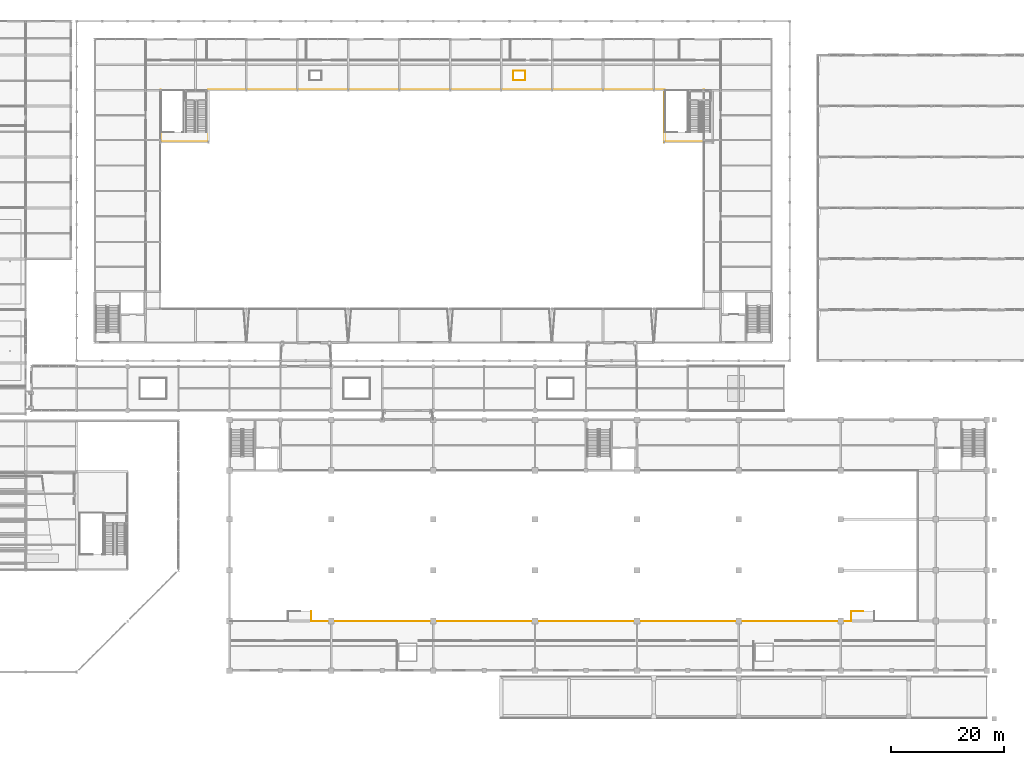
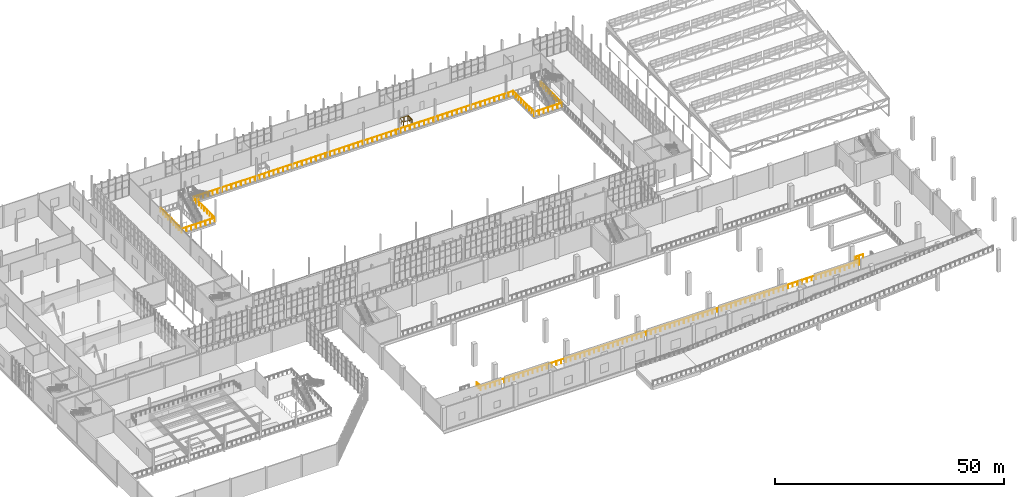
# One storey, part 152 of 159: 3 railings.
"""IFC4 building model written with IfcOpenShell, lengths in metres."""

from ifc_helpers import new_model, si_unit, direction, frame, origin, origin_2d, place, context, subcontext, project, spatial, circle, extrude, material, type_object, element, save


model = new_model("IFC4")

# Units and contexts
model_context = context("Model", 3, precision=1e-05, world=origin(), true_north=direction((0.0, 1.0)))
body_context = subcontext(model_context, "Body", "Model", "MODEL_VIEW")
ifc_project = project(units=[si_unit("LENGTHUNIT", "METRE"), si_unit("AREAUNIT", "SQUARE_METRE"), si_unit("VOLUMEUNIT", "CUBIC_METRE"), si_unit("PLANEANGLEUNIT", "RADIAN"), si_unit("MASSUNIT", "GRAM", prefix="KILO")], contexts=[model_context])

# Site, building, storey
site_placement = place(None, origin())
site = spatial("IfcSite", under=ifc_project, at=site_placement, CompositionType="ELEMENT")
building_placement = place(site_placement, origin())
building = spatial("IfcBuilding", under=site, at=building_placement, Name="Cazmaro Siding Exhibition Halls", CompositionType="ELEMENT")
storey_placement = place(building_placement, frame((0.0, 0.0, 6.0)))
storey = spatial("IfcBuildingStorey", under=building, at=storey_placement, Name="L01", CompositionType="ELEMENT", Elevation=6.0)

# Railings
ifc_material = material(Name="Interior Laminated Glass and Brushed Stainless Steel Balustrade", Category="steel")
railing_type = type_object("IfcRailingType", Name="RL-BAL-02", PredefinedType="BALUSTRADE", material=ifc_material)
railing_1_placement = place(storey_placement, frame((59.85009765625, 111.85009765625, 0.0)))
element("IfcRailing", 1, at=railing_1_placement, inside=storey, type_object=railing_type, Name="Hall A North Overlook Guard L01 RL-BAL-02 RL-G010", PredefinedType="BALUSTRADE", context=body_context, shape_type="SweptSolid", body=[
    extrude(circle(Radius=0.02392578125, at=origin_2d()), frame((0.0, 0.0, 1.09619140625), z_axis=(0.0, -1.0, 0.0), x_axis=(1.0, 0.0, 0.0)), (0.0, 0.0, 1.0), 9.2001953125),
    extrude(circle(Radius=0.02392578125, at=origin_2d()), frame((0.0, -9.2001953125, 1.09619140625), z_axis=(1.0, 0.0, 0.0), x_axis=(0.0, 1.0, 0.0)), (0.0, 0.0, 1.0), 8.39990234375),
    extrude(circle(Radius=0.02392578125, at=origin_2d()), frame((8.39990234375, -9.2001953125, 1.09619140625), z_axis=(0.0, 1.0, 0.0), x_axis=(-1.0, 0.0, 0.0)), (0.0, 0.0, 1.0), 9.2001953125),
    extrude(circle(Radius=0.02392578125, at=origin_2d()), frame((8.39990234375, 0.0, 1.09619140625), z_axis=(1.0, 0.0, 0.0), x_axis=(0.0, 1.0, 0.0)), (0.0, 0.0, 1.0), 80.60009765625),
    extrude(circle(Radius=0.02392578125, at=origin_2d()), frame((89.0, 0.0, 1.09619140625), z_axis=(0.0, -1.0, 0.0), x_axis=(1.0, 0.0, 0.0)), (0.0, 0.0, 1.0), 9.2001953125),
    extrude(circle(Radius=0.02392578125, at=origin_2d()), frame((89.0, -9.2001953125, 1.09619140625), z_axis=(1.0, 0.0, 0.0), x_axis=(0.0, 1.0, 0.0)), (0.0, 0.0, 1.0), 7.0),
    extrude(circle(Radius=0.02392578125, at=origin_2d()), frame((96.0, -9.2001953125, 1.09619140625), z_axis=(0.0, 1.0, 0.0), x_axis=(-1.0, 0.0, 0.0)), (0.0, 0.0, 1.0), 9.2001953125),
    extrude(circle(Radius=0.02099609375, at=origin_2d()), origin(), (0.0, 0.0, 1.0), 1.072021484375),
    extrude(circle(Radius=0.02099609375, at=origin_2d()), frame((0.0, -1.14990234375, 0.0)), (0.0, 0.0, 1.0), 1.072021484375),
    extrude(circle(Radius=0.02099609375, at=origin_2d()), frame((0.0, -2.300048828125, 0.0)), (0.0, 0.0, 1.0), 1.072021484375),
    extrude(circle(Radius=0.02099609375, at=origin_2d()), frame((0.0, -3.4501953125, 0.0)), (0.0, 0.0, 1.0), 1.072021484375),
    extrude(circle(Radius=0.02099609375, at=origin_2d()), frame((0.0, -4.60009765625, 0.0)), (0.0, 0.0, 1.0), 1.072021484375),
    extrude(circle(Radius=0.02099609375, at=origin_2d()), frame((0.0, -5.75, 0.0)), (0.0, 0.0, 1.0), 1.072021484375),
    extrude(circle(Radius=0.02099609375, at=origin_2d()), frame((0.0, -6.900146484375, 0.0)), (0.0, 0.0, 1.0), 1.072021484375),
    extrude(circle(Radius=0.02099609375, at=origin_2d()), frame((0.0, -8.05029296875, 0.0)), (0.0, 0.0, 1.0), 1.072021484375),
    extrude(circle(Radius=0.02099609375, at=origin_2d()), frame((0.0, -9.2001953125, 0.0)), (0.0, 0.0, 1.0), 1.072021484375),
    extrude(circle(Radius=0.02099609375, at=origin_2d()), frame((1.199951171875, -9.2001953125, 0.0)), (0.0, 0.0, 1.0), 1.072021484375),
    extrude(circle(Radius=0.02099609375, at=origin_2d()), frame((2.39990234375, -9.2001953125, 0.0)), (0.0, 0.0, 1.0), 1.072021484375),
    extrude(circle(Radius=0.02099609375, at=origin_2d()), frame((3.599853515625, -9.2001953125, 0.0)), (0.0, 0.0, 1.0), 1.072021484375),
    extrude(circle(Radius=0.02099609375, at=origin_2d()), frame((4.800048828125, -9.2001953125, 0.0)), (0.0, 0.0, 1.0), 1.072021484375),
    extrude(circle(Radius=0.02099609375, at=origin_2d()), frame((6.0, -9.2001953125, 0.0)), (0.0, 0.0, 1.0), 1.072021484375),
    extrude(circle(Radius=0.02099609375, at=origin_2d()), frame((7.199951171875, -9.2001953125, 0.0)), (0.0, 0.0, 1.0), 1.072021484375),
    extrude(circle(Radius=0.02099609375, at=origin_2d()), frame((8.39990234375, -9.2001953125, 0.0)), (0.0, 0.0, 1.0), 1.072021484375),
    extrude(circle(Radius=0.02099609375, at=origin_2d()), frame((8.39990234375, -8.05029296875, 0.0)), (0.0, 0.0, 1.0), 1.072021484375),
    extrude(circle(Radius=0.02099609375, at=origin_2d()), frame((8.39990234375, -6.900146484375, 0.0)), (0.0, 0.0, 1.0), 1.072021484375),
    extrude(circle(Radius=0.02099609375, at=origin_2d()), frame((8.39990234375, -5.75, 0.0)), (0.0, 0.0, 1.0), 1.072021484375),
    extrude(circle(Radius=0.02099609375, at=origin_2d()), frame((8.39990234375, -4.60009765625, 0.0)), (0.0, 0.0, 1.0), 1.072021484375),
    extrude(circle(Radius=0.02099609375, at=origin_2d()), frame((8.39990234375, -3.4501953125, 0.0)), (0.0, 0.0, 1.0), 1.072021484375),
    extrude(circle(Radius=0.02099609375, at=origin_2d()), frame((8.39990234375, -2.300048828125, 0.0)), (0.0, 0.0, 1.0), 1.072021484375),
    extrude(circle(Radius=0.02099609375, at=origin_2d()), frame((8.39990234375, -1.14990234375, 0.0)), (0.0, 0.0, 1.0), 1.072021484375),
    extrude(circle(Radius=0.02099609375, at=origin_2d()), frame((8.39990234375, 0.0, 0.0)), (0.0, 0.0, 1.0), 1.072021484375),
    extrude(circle(Radius=0.02099609375, at=origin_2d()), frame((9.585205078125, 0.0, 0.0)), (0.0, 0.0, 1.0), 1.072021484375),
    extrude(circle(Radius=0.02099609375, at=origin_2d()), frame((10.7705078125, 0.0, 0.0)), (0.0, 0.0, 1.0), 1.072021484375),
    extrude(circle(Radius=0.02099609375, at=origin_2d()), frame((11.955810546875, 0.0, 0.0)), (0.0, 0.0, 1.0), 1.072021484375),
    extrude(circle(Radius=0.02099609375, at=origin_2d()), frame((13.14111328125, 0.0, 0.0)), (0.0, 0.0, 1.0), 1.072021484375),
    extrude(circle(Radius=0.02099609375, at=origin_2d()), frame((14.326416015625, 0.0, 0.0)), (0.0, 0.0, 1.0), 1.072021484375),
    extrude(circle(Radius=0.02099609375, at=origin_2d()), frame((15.51171875, 0.0, 0.0)), (0.0, 0.0, 1.0), 1.072021484375),
    extrude(circle(Radius=0.02099609375, at=origin_2d()), frame((16.697021484375, 0.0, 0.0)), (0.0, 0.0, 1.0), 1.072021484375),
    extrude(circle(Radius=0.02099609375, at=origin_2d()), frame((17.88232421875, 0.0, 0.0)), (0.0, 0.0, 1.0), 1.072021484375),
    extrude(circle(Radius=0.02099609375, at=origin_2d()), frame((19.067626953125, 0.0, 0.0)), (0.0, 0.0, 1.0), 1.072021484375),
    extrude(circle(Radius=0.02099609375, at=origin_2d()), frame((20.2529296875, 0.0, 0.0)), (0.0, 0.0, 1.0), 1.072021484375),
    extrude(circle(Radius=0.02099609375, at=origin_2d()), frame((21.438232421875, 0.0, 0.0)), (0.0, 0.0, 1.0), 1.072021484375),
    extrude(circle(Radius=0.02099609375, at=origin_2d()), frame((22.62353515625, 0.0, 0.0)), (0.0, 0.0, 1.0), 1.072021484375),
    extrude(circle(Radius=0.02099609375, at=origin_2d()), frame((23.808837890625, 0.0, 0.0)), (0.0, 0.0, 1.0), 1.072021484375),
    extrude(circle(Radius=0.02099609375, at=origin_2d()), frame((24.994140625, 0.0, 0.0)), (0.0, 0.0, 1.0), 1.072021484375),
    extrude(circle(Radius=0.02099609375, at=origin_2d()), frame((26.179443359375, 0.0, 0.0)), (0.0, 0.0, 1.0), 1.072021484375),
    extrude(circle(Radius=0.02099609375, at=origin_2d()), frame((27.36474609375, 0.0, 0.0)), (0.0, 0.0, 1.0), 1.072021484375),
    extrude(circle(Radius=0.02099609375, at=origin_2d()), frame((28.5498046875, 0.0, 0.0)), (0.0, 0.0, 1.0), 1.072021484375),
    extrude(circle(Radius=0.02099609375, at=origin_2d()), frame((29.735107421875, 0.0, 0.0)), (0.0, 0.0, 1.0), 1.072021484375),
    extrude(circle(Radius=0.02099609375, at=origin_2d()), frame((30.92041015625, 0.0, 0.0)), (0.0, 0.0, 1.0), 1.072021484375),
    extrude(circle(Radius=0.02099609375, at=origin_2d()), frame((32.105712890625, 0.0, 0.0)), (0.0, 0.0, 1.0), 1.072021484375),
    extrude(circle(Radius=0.02099609375, at=origin_2d()), frame((33.291015625, 0.0, 0.0)), (0.0, 0.0, 1.0), 1.072021484375),
    extrude(circle(Radius=0.02099609375, at=origin_2d()), frame((34.476318359375, 0.0, 0.0)), (0.0, 0.0, 1.0), 1.072021484375),
    extrude(circle(Radius=0.02099609375, at=origin_2d()), frame((35.66162109375, 0.0, 0.0)), (0.0, 0.0, 1.0), 1.072021484375),
    extrude(circle(Radius=0.02099609375, at=origin_2d()), frame((36.846923828125, 0.0, 0.0)), (0.0, 0.0, 1.0), 1.072021484375),
    extrude(circle(Radius=0.02099609375, at=origin_2d()), frame((38.0322265625, 0.0, 0.0)), (0.0, 0.0, 1.0), 1.072021484375),
    extrude(circle(Radius=0.02099609375, at=origin_2d()), frame((39.217529296875, 0.0, 0.0)), (0.0, 0.0, 1.0), 1.072021484375),
    extrude(circle(Radius=0.02099609375, at=origin_2d()), frame((40.40283203125, 0.0, 0.0)), (0.0, 0.0, 1.0), 1.072021484375),
    extrude(circle(Radius=0.02099609375, at=origin_2d()), frame((41.588134765625, 0.0, 0.0)), (0.0, 0.0, 1.0), 1.072021484375),
    extrude(circle(Radius=0.02099609375, at=origin_2d()), frame((42.7734375, 0.0, 0.0)), (0.0, 0.0, 1.0), 1.072021484375),
    extrude(circle(Radius=0.02099609375, at=origin_2d()), frame((43.958740234375, 0.0, 0.0)), (0.0, 0.0, 1.0), 1.072021484375),
    extrude(circle(Radius=0.02099609375, at=origin_2d()), frame((45.14404296875, 0.0, 0.0)), (0.0, 0.0, 1.0), 1.072021484375),
    extrude(circle(Radius=0.02099609375, at=origin_2d()), frame((46.329345703125, 0.0, 0.0)), (0.0, 0.0, 1.0), 1.072021484375),
    extrude(circle(Radius=0.02099609375, at=origin_2d()), frame((47.5146484375, 0.0, 0.0)), (0.0, 0.0, 1.0), 1.072021484375),
    extrude(circle(Radius=0.02099609375, at=origin_2d()), frame((48.699951171875, 0.0, 0.0)), (0.0, 0.0, 1.0), 1.072021484375),
    extrude(circle(Radius=0.02099609375, at=origin_2d()), frame((49.88525390625, 0.0, 0.0)), (0.0, 0.0, 1.0), 1.072021484375),
    extrude(circle(Radius=0.02099609375, at=origin_2d()), frame((51.070556640625, 0.0, 0.0)), (0.0, 0.0, 1.0), 1.072021484375),
    extrude(circle(Radius=0.02099609375, at=origin_2d()), frame((52.255859375, 0.0, 0.0)), (0.0, 0.0, 1.0), 1.072021484375),
    extrude(circle(Radius=0.02099609375, at=origin_2d()), frame((53.441162109375, 0.0, 0.0)), (0.0, 0.0, 1.0), 1.072021484375),
    extrude(circle(Radius=0.02099609375, at=origin_2d()), frame((54.62646484375, 0.0, 0.0)), (0.0, 0.0, 1.0), 1.072021484375),
    extrude(circle(Radius=0.02099609375, at=origin_2d()), frame((55.811767578125, 0.0, 0.0)), (0.0, 0.0, 1.0), 1.072021484375),
    extrude(circle(Radius=0.02099609375, at=origin_2d()), frame((56.9970703125, 0.0, 0.0)), (0.0, 0.0, 1.0), 1.072021484375),
    extrude(circle(Radius=0.02099609375, at=origin_2d()), frame((58.182373046875, 0.0, 0.0)), (0.0, 0.0, 1.0), 1.072021484375),
    extrude(circle(Radius=0.02099609375, at=origin_2d()), frame((59.36767578125, 0.0, 0.0)), (0.0, 0.0, 1.0), 1.072021484375),
    extrude(circle(Radius=0.02099609375, at=origin_2d()), frame((60.552978515625, 0.0, 0.0)), (0.0, 0.0, 1.0), 1.072021484375),
    extrude(circle(Radius=0.02099609375, at=origin_2d()), frame((61.73828125, 0.0, 0.0)), (0.0, 0.0, 1.0), 1.072021484375),
    extrude(circle(Radius=0.02099609375, at=origin_2d()), frame((62.923583984375, 0.0, 0.0)), (0.0, 0.0, 1.0), 1.072021484375),
    extrude(circle(Radius=0.02099609375, at=origin_2d()), frame((64.10888671875, 0.0, 0.0)), (0.0, 0.0, 1.0), 1.072021484375),
    extrude(circle(Radius=0.02099609375, at=origin_2d()), frame((65.294189453125, 0.0, 0.0)), (0.0, 0.0, 1.0), 1.072021484375),
    extrude(circle(Radius=0.02099609375, at=origin_2d()), frame((66.4794921875, 0.0, 0.0)), (0.0, 0.0, 1.0), 1.072021484375),
    extrude(circle(Radius=0.02099609375, at=origin_2d()), frame((67.664794921875, 0.0, 0.0)), (0.0, 0.0, 1.0), 1.072021484375),
    extrude(circle(Radius=0.02099609375, at=origin_2d()), frame((68.85009765625, 0.0, 0.0)), (0.0, 0.0, 1.0), 1.072021484375),
    extrude(circle(Radius=0.02099609375, at=origin_2d()), frame((70.03515625, 0.0, 0.0)), (0.0, 0.0, 1.0), 1.072021484375),
    extrude(circle(Radius=0.02099609375, at=origin_2d()), frame((71.220458984375, 0.0, 0.0)), (0.0, 0.0, 1.0), 1.072021484375),
    extrude(circle(Radius=0.02099609375, at=origin_2d()), frame((72.40576171875, 0.0, 0.0)), (0.0, 0.0, 1.0), 1.072021484375),
    extrude(circle(Radius=0.02099609375, at=origin_2d()), frame((73.591064453125, 0.0, 0.0)), (0.0, 0.0, 1.0), 1.072021484375),
    extrude(circle(Radius=0.02099609375, at=origin_2d()), frame((74.7763671875, 0.0, 0.0)), (0.0, 0.0, 1.0), 1.072021484375),
    extrude(circle(Radius=0.02099609375, at=origin_2d()), frame((75.961669921875, 0.0, 0.0)), (0.0, 0.0, 1.0), 1.072021484375),
    extrude(circle(Radius=0.02099609375, at=origin_2d()), frame((77.14697265625, 0.0, 0.0)), (0.0, 0.0, 1.0), 1.072021484375),
    extrude(circle(Radius=0.02099609375, at=origin_2d()), frame((78.332275390625, 0.0, 0.0)), (0.0, 0.0, 1.0), 1.072021484375),
    extrude(circle(Radius=0.02099609375, at=origin_2d()), frame((79.517578125, 0.0, 0.0)), (0.0, 0.0, 1.0), 1.072021484375),
    extrude(circle(Radius=0.02099609375, at=origin_2d()), frame((80.702880859375, 0.0, 0.0)), (0.0, 0.0, 1.0), 1.072021484375),
    extrude(circle(Radius=0.02099609375, at=origin_2d()), frame((81.88818359375, 0.0, 0.0)), (0.0, 0.0, 1.0), 1.072021484375),
    extrude(circle(Radius=0.02099609375, at=origin_2d()), frame((83.073486328125, 0.0, 0.0)), (0.0, 0.0, 1.0), 1.072021484375),
    extrude(circle(Radius=0.02099609375, at=origin_2d()), frame((84.2587890625, 0.0, 0.0)), (0.0, 0.0, 1.0), 1.072021484375),
    extrude(circle(Radius=0.02099609375, at=origin_2d()), frame((85.444091796875, 0.0, 0.0)), (0.0, 0.0, 1.0), 1.072021484375),
    extrude(circle(Radius=0.02099609375, at=origin_2d()), frame((86.62939453125, 0.0, 0.0)), (0.0, 0.0, 1.0), 1.072021484375),
    extrude(circle(Radius=0.02099609375, at=origin_2d()), frame((87.814697265625, 0.0, 0.0)), (0.0, 0.0, 1.0), 1.072021484375),
    extrude(circle(Radius=0.02099609375, at=origin_2d()), frame((89.0, 0.0, 0.0)), (0.0, 0.0, 1.0), 1.072021484375),
    extrude(circle(Radius=0.02099609375, at=origin_2d()), frame((89.0, -1.14990234375, 0.0)), (0.0, 0.0, 1.0), 1.072021484375),
    extrude(circle(Radius=0.02099609375, at=origin_2d()), frame((89.0, -2.300048828125, 0.0)), (0.0, 0.0, 1.0), 1.072021484375),
    extrude(circle(Radius=0.02099609375, at=origin_2d()), frame((89.0, -3.4501953125, 0.0)), (0.0, 0.0, 1.0), 1.072021484375),
    extrude(circle(Radius=0.02099609375, at=origin_2d()), frame((89.0, -4.60009765625, 0.0)), (0.0, 0.0, 1.0), 1.072021484375),
    extrude(circle(Radius=0.02099609375, at=origin_2d()), frame((89.0, -5.75, 0.0)), (0.0, 0.0, 1.0), 1.072021484375),
    extrude(circle(Radius=0.02099609375, at=origin_2d()), frame((89.0, -6.900146484375, 0.0)), (0.0, 0.0, 1.0), 1.072021484375),
    extrude(circle(Radius=0.02099609375, at=origin_2d()), frame((89.0, -8.05029296875, 0.0)), (0.0, 0.0, 1.0), 1.072021484375),
    extrude(circle(Radius=0.02099609375, at=origin_2d()), frame((89.0, -9.2001953125, 0.0)), (0.0, 0.0, 1.0), 1.072021484375),
    extrude(circle(Radius=0.02099609375, at=origin_2d()), frame((90.166748046875, -9.2001953125, 0.0)), (0.0, 0.0, 1.0), 1.072021484375),
    extrude(circle(Radius=0.02099609375, at=origin_2d()), frame((91.333251953125, -9.2001953125, 0.0)), (0.0, 0.0, 1.0), 1.072021484375),
    extrude(circle(Radius=0.02099609375, at=origin_2d()), frame((92.5, -9.2001953125, 0.0)), (0.0, 0.0, 1.0), 1.072021484375),
    extrude(circle(Radius=0.02099609375, at=origin_2d()), frame((93.666748046875, -9.2001953125, 0.0)), (0.0, 0.0, 1.0), 1.072021484375),
    extrude(circle(Radius=0.02099609375, at=origin_2d()), frame((94.833251953125, -9.2001953125, 0.0)), (0.0, 0.0, 1.0), 1.072021484375),
    extrude(circle(Radius=0.02099609375, at=origin_2d()), frame((96.0, -9.2001953125, 0.0)), (0.0, 0.0, 1.0), 1.072021484375),
    extrude(circle(Radius=0.02099609375, at=origin_2d()), frame((96.0, -8.05029296875, 0.0)), (0.0, 0.0, 1.0), 1.072021484375),
    extrude(circle(Radius=0.02099609375, at=origin_2d()), frame((96.0, -6.900146484375, 0.0)), (0.0, 0.0, 1.0), 1.072021484375),
    extrude(circle(Radius=0.02099609375, at=origin_2d()), frame((96.0, -5.75, 0.0)), (0.0, 0.0, 1.0), 1.072021484375),
    extrude(circle(Radius=0.02099609375, at=origin_2d()), frame((96.0, -4.60009765625, 0.0)), (0.0, 0.0, 1.0), 1.072021484375),
    extrude(circle(Radius=0.02099609375, at=origin_2d()), frame((96.0, -3.4501953125, 0.0)), (0.0, 0.0, 1.0), 1.072021484375),
    extrude(circle(Radius=0.02099609375, at=origin_2d()), frame((96.0, -2.300048828125, 0.0)), (0.0, 0.0, 1.0), 1.072021484375),
    extrude(circle(Radius=0.02099609375, at=origin_2d()), frame((96.0, -1.14990234375, 0.0)), (0.0, 0.0, 1.0), 1.072021484375),
    extrude(circle(Radius=0.02099609375, at=origin_2d()), frame((96.0, 0.0, 0.0)), (0.0, 0.0, 1.0), 1.072021484375),
])
railing_2_placement = place(storey_placement, frame((122.14990234375, 113.550048828125, 0.0)))
element("IfcRailing", 2, at=railing_2_placement, inside=storey, type_object=railing_type, Name="Gallery Void Guard L01 RL-BAL-02 RL-G018", PredefinedType="BALUSTRADE", context=body_context, shape_type="SweptSolid", body=[
    extrude(circle(Radius=0.02392578125, at=origin_2d()), frame((0.0, 0.0, 1.09619140625), z_axis=(1.0, 0.0, 0.0), x_axis=(0.0, 1.0, 0.0)), (0.0, 0.0, 1.0), 2.10009765625),
    extrude(circle(Radius=0.02392578125, at=origin_2d()), frame((2.10009765625, 0.0, 1.09619140625), z_axis=(0.0, 1.0, 0.0), x_axis=(-1.0, 0.0, 0.0)), (0.0, 0.0, 1.0), 1.699951171875),
    extrude(circle(Radius=0.02392578125, at=origin_2d()), frame((2.10009765625, 1.699951171875, 1.09619140625), z_axis=(-1.0, 0.0, 0.0), x_axis=(0.0, -1.0, 0.0)), (0.0, 0.0, 1.0), 2.10009765625),
    extrude(circle(Radius=0.02392578125, at=origin_2d()), frame((0.0, 1.699951171875, 1.09619140625), z_axis=(0.0, -1.0, 0.0), x_axis=(1.0, 0.0, 0.0)), (0.0, 0.0, 1.0), 1.639892578125),
    extrude(circle(Radius=0.02099609375, at=origin_2d()), origin(), (0.0, 0.0, 1.0), 1.072021484375),
    extrude(circle(Radius=0.02099609375, at=origin_2d()), frame((1.050048828125, 0.0, 0.0)), (0.0, 0.0, 1.0), 1.072021484375),
    extrude(circle(Radius=0.02099609375, at=origin_2d()), frame((2.10009765625, 0.0, 0.0)), (0.0, 0.0, 1.0), 1.072021484375),
    extrude(circle(Radius=0.02099609375, at=origin_2d()), frame((2.10009765625, 0.85009765625, 0.0)), (0.0, 0.0, 1.0), 1.072021484375),
    extrude(circle(Radius=0.02099609375, at=origin_2d()), frame((2.10009765625, 1.699951171875, 0.0)), (0.0, 0.0, 1.0), 1.072021484375),
    extrude(circle(Radius=0.02099609375, at=origin_2d()), frame((1.050048828125, 1.699951171875, 0.0)), (0.0, 0.0, 1.0), 1.072021484375),
    extrude(circle(Radius=0.02099609375, at=origin_2d()), frame((0.0, 1.699951171875, 0.0)), (0.0, 0.0, 1.0), 1.072021484375),
    extrude(circle(Radius=0.02099609375, at=origin_2d()), frame((0.0, 0.8798828125, 0.0)), (0.0, 0.0, 1.0), 1.072021484375),
    extrude(circle(Radius=0.02099609375, at=origin_2d()), frame((0.0, 0.06005859375, 0.0)), (0.0, 0.0, 1.0), 1.072021484375),
])
railing_3_placement = place(storey_placement, frame((86.449951171875, 19.75, 0.0)))
element("IfcRailing", 3, at=railing_3_placement, inside=storey, type_object=railing_type, Name="Hall B1 South Mezzanine Guard Mid RL-BAL-02 RL-G050", PredefinedType="BALUSTRADE", context=body_context, shape_type="SweptSolid", body=[
    extrude(circle(Radius=0.02392578125, at=origin_2d()), frame((0.0, 0.0, 1.09619140625), z_axis=(0.0, -1.0, 0.0), x_axis=(1.0, 0.0, 0.0)), (0.0, 0.0, 1.0), 1.800048828125),
    extrude(circle(Radius=0.02392578125, at=origin_2d()), frame((0.0, -1.800048828125, 1.09619140625), z_axis=(1.0, 0.0, 0.0), x_axis=(0.0, 1.0, 0.0)), (0.0, 0.0, 1.0), 95.400146484375),
    extrude(circle(Radius=0.02392578125, at=origin_2d()), frame((95.400146484375, -1.800048828125, 1.09619140625), z_axis=(0.0, 1.0, 0.0), x_axis=(-1.0, 0.0, 0.0)), (0.0, 0.0, 1.0), 1.800048828125),
    extrude(circle(Radius=0.02392578125, at=origin_2d()), frame((95.400146484375, 0.0, 1.09619140625), z_axis=(1.0, 0.0, 0.0), x_axis=(0.0, 1.0, 0.0)), (0.0, 0.0, 1.0), 2.14990234375),
    extrude(circle(Radius=0.02099609375, at=origin_2d()), origin(), (0.0, 0.0, 1.0), 1.072021484375),
    extrude(circle(Radius=0.02099609375, at=origin_2d()), frame((0.0, -0.89990234375, 0.0)), (0.0, 0.0, 1.0), 1.072021484375),
    extrude(circle(Radius=0.02099609375, at=origin_2d()), frame((0.0, -1.800048828125, 0.0)), (0.0, 0.0, 1.0), 1.072021484375),
    extrude(circle(Radius=0.02099609375, at=origin_2d()), frame((1.1923828125, -1.800048828125, 0.0)), (0.0, 0.0, 1.0), 1.072021484375),
    extrude(circle(Radius=0.02099609375, at=origin_2d()), frame((2.385009765625, -1.800048828125, 0.0)), (0.0, 0.0, 1.0), 1.072021484375),
    extrude(circle(Radius=0.02099609375, at=origin_2d()), frame((3.577392578125, -1.800048828125, 0.0)), (0.0, 0.0, 1.0), 1.072021484375),
    extrude(circle(Radius=0.02099609375, at=origin_2d()), frame((4.77001953125, -1.800048828125, 0.0)), (0.0, 0.0, 1.0), 1.072021484375),
    extrude(circle(Radius=0.02099609375, at=origin_2d()), frame((5.96240234375, -1.800048828125, 0.0)), (0.0, 0.0, 1.0), 1.072021484375),
    extrude(circle(Radius=0.02099609375, at=origin_2d()), frame((7.155029296875, -1.800048828125, 0.0)), (0.0, 0.0, 1.0), 1.072021484375),
    extrude(circle(Radius=0.02099609375, at=origin_2d()), frame((8.347412109375, -1.800048828125, 0.0)), (0.0, 0.0, 1.0), 1.072021484375),
    extrude(circle(Radius=0.02099609375, at=origin_2d()), frame((9.5400390625, -1.800048828125, 0.0)), (0.0, 0.0, 1.0), 1.072021484375),
    extrude(circle(Radius=0.02099609375, at=origin_2d()), frame((10.732421875, -1.800048828125, 0.0)), (0.0, 0.0, 1.0), 1.072021484375),
    extrude(circle(Radius=0.02099609375, at=origin_2d()), frame((11.925048828125, -1.800048828125, 0.0)), (0.0, 0.0, 1.0), 1.072021484375),
    extrude(circle(Radius=0.02099609375, at=origin_2d()), frame((13.117431640625, -1.800048828125, 0.0)), (0.0, 0.0, 1.0), 1.072021484375),
    extrude(circle(Radius=0.02099609375, at=origin_2d()), frame((14.31005859375, -1.800048828125, 0.0)), (0.0, 0.0, 1.0), 1.072021484375),
    extrude(circle(Radius=0.02099609375, at=origin_2d()), frame((15.50244140625, -1.800048828125, 0.0)), (0.0, 0.0, 1.0), 1.072021484375),
    extrude(circle(Radius=0.02099609375, at=origin_2d()), frame((16.695068359375, -1.800048828125, 0.0)), (0.0, 0.0, 1.0), 1.072021484375),
    extrude(circle(Radius=0.02099609375, at=origin_2d()), frame((17.887451171875, -1.800048828125, 0.0)), (0.0, 0.0, 1.0), 1.072021484375),
    extrude(circle(Radius=0.02099609375, at=origin_2d()), frame((19.080078125, -1.800048828125, 0.0)), (0.0, 0.0, 1.0), 1.072021484375),
    extrude(circle(Radius=0.02099609375, at=origin_2d()), frame((20.2724609375, -1.800048828125, 0.0)), (0.0, 0.0, 1.0), 1.072021484375),
    extrude(circle(Radius=0.02099609375, at=origin_2d()), frame((21.465087890625, -1.800048828125, 0.0)), (0.0, 0.0, 1.0), 1.072021484375),
    extrude(circle(Radius=0.02099609375, at=origin_2d()), frame((22.657470703125, -1.800048828125, 0.0)), (0.0, 0.0, 1.0), 1.072021484375),
    extrude(circle(Radius=0.02099609375, at=origin_2d()), frame((23.85009765625, -1.800048828125, 0.0)), (0.0, 0.0, 1.0), 1.072021484375),
    extrude(circle(Radius=0.02099609375, at=origin_2d()), frame((25.04248046875, -1.800048828125, 0.0)), (0.0, 0.0, 1.0), 1.072021484375),
    extrude(circle(Radius=0.02099609375, at=origin_2d()), frame((26.235107421875, -1.800048828125, 0.0)), (0.0, 0.0, 1.0), 1.072021484375),
    extrude(circle(Radius=0.02099609375, at=origin_2d()), frame((27.427490234375, -1.800048828125, 0.0)), (0.0, 0.0, 1.0), 1.072021484375),
    extrude(circle(Radius=0.02099609375, at=origin_2d()), frame((28.6201171875, -1.800048828125, 0.0)), (0.0, 0.0, 1.0), 1.072021484375),
    extrude(circle(Radius=0.02099609375, at=origin_2d()), frame((29.8125, -1.800048828125, 0.0)), (0.0, 0.0, 1.0), 1.072021484375),
    extrude(circle(Radius=0.02099609375, at=origin_2d()), frame((31.005126953125, -1.800048828125, 0.0)), (0.0, 0.0, 1.0), 1.072021484375),
    extrude(circle(Radius=0.02099609375, at=origin_2d()), frame((32.197509765625, -1.800048828125, 0.0)), (0.0, 0.0, 1.0), 1.072021484375),
    extrude(circle(Radius=0.02099609375, at=origin_2d()), frame((33.39013671875, -1.800048828125, 0.0)), (0.0, 0.0, 1.0), 1.072021484375),
    extrude(circle(Radius=0.02099609375, at=origin_2d()), frame((34.58251953125, -1.800048828125, 0.0)), (0.0, 0.0, 1.0), 1.072021484375),
    extrude(circle(Radius=0.02099609375, at=origin_2d()), frame((35.775146484375, -1.800048828125, 0.0)), (0.0, 0.0, 1.0), 1.072021484375),
    extrude(circle(Radius=0.02099609375, at=origin_2d()), frame((36.967529296875, -1.800048828125, 0.0)), (0.0, 0.0, 1.0), 1.072021484375),
    extrude(circle(Radius=0.02099609375, at=origin_2d()), frame((38.16015625, -1.800048828125, 0.0)), (0.0, 0.0, 1.0), 1.072021484375),
    extrude(circle(Radius=0.02099609375, at=origin_2d()), frame((39.3525390625, -1.800048828125, 0.0)), (0.0, 0.0, 1.0), 1.072021484375),
    extrude(circle(Radius=0.02099609375, at=origin_2d()), frame((40.545166015625, -1.800048828125, 0.0)), (0.0, 0.0, 1.0), 1.072021484375),
    extrude(circle(Radius=0.02099609375, at=origin_2d()), frame((41.737548828125, -1.800048828125, 0.0)), (0.0, 0.0, 1.0), 1.072021484375),
    extrude(circle(Radius=0.02099609375, at=origin_2d()), frame((42.93017578125, -1.800048828125, 0.0)), (0.0, 0.0, 1.0), 1.072021484375),
    extrude(circle(Radius=0.02099609375, at=origin_2d()), frame((44.12255859375, -1.800048828125, 0.0)), (0.0, 0.0, 1.0), 1.072021484375),
    extrude(circle(Radius=0.02099609375, at=origin_2d()), frame((45.315185546875, -1.800048828125, 0.0)), (0.0, 0.0, 1.0), 1.072021484375),
    extrude(circle(Radius=0.02099609375, at=origin_2d()), frame((46.507568359375, -1.800048828125, 0.0)), (0.0, 0.0, 1.0), 1.072021484375),
    extrude(circle(Radius=0.02099609375, at=origin_2d()), frame((47.7001953125, -1.800048828125, 0.0)), (0.0, 0.0, 1.0), 1.072021484375),
    extrude(circle(Radius=0.02099609375, at=origin_2d()), frame((48.892578125, -1.800048828125, 0.0)), (0.0, 0.0, 1.0), 1.072021484375),
    extrude(circle(Radius=0.02099609375, at=origin_2d()), frame((50.0849609375, -1.800048828125, 0.0)), (0.0, 0.0, 1.0), 1.072021484375),
    extrude(circle(Radius=0.02099609375, at=origin_2d()), frame((51.277587890625, -1.800048828125, 0.0)), (0.0, 0.0, 1.0), 1.072021484375),
    extrude(circle(Radius=0.02099609375, at=origin_2d()), frame((52.469970703125, -1.800048828125, 0.0)), (0.0, 0.0, 1.0), 1.072021484375),
    extrude(circle(Radius=0.02099609375, at=origin_2d()), frame((53.66259765625, -1.800048828125, 0.0)), (0.0, 0.0, 1.0), 1.072021484375),
    extrude(circle(Radius=0.02099609375, at=origin_2d()), frame((54.85498046875, -1.800048828125, 0.0)), (0.0, 0.0, 1.0), 1.072021484375),
    extrude(circle(Radius=0.02099609375, at=origin_2d()), frame((56.047607421875, -1.800048828125, 0.0)), (0.0, 0.0, 1.0), 1.072021484375),
    extrude(circle(Radius=0.02099609375, at=origin_2d()), frame((57.239990234375, -1.800048828125, 0.0)), (0.0, 0.0, 1.0), 1.072021484375),
    extrude(circle(Radius=0.02099609375, at=origin_2d()), frame((58.4326171875, -1.800048828125, 0.0)), (0.0, 0.0, 1.0), 1.072021484375),
    extrude(circle(Radius=0.02099609375, at=origin_2d()), frame((59.625, -1.800048828125, 0.0)), (0.0, 0.0, 1.0), 1.072021484375),
    extrude(circle(Radius=0.02099609375, at=origin_2d()), frame((60.817626953125, -1.800048828125, 0.0)), (0.0, 0.0, 1.0), 1.072021484375),
    extrude(circle(Radius=0.02099609375, at=origin_2d()), frame((62.010009765625, -1.800048828125, 0.0)), (0.0, 0.0, 1.0), 1.072021484375),
    extrude(circle(Radius=0.02099609375, at=origin_2d()), frame((63.20263671875, -1.800048828125, 0.0)), (0.0, 0.0, 1.0), 1.072021484375),
    extrude(circle(Radius=0.02099609375, at=origin_2d()), frame((64.39501953125, -1.800048828125, 0.0)), (0.0, 0.0, 1.0), 1.072021484375),
    extrude(circle(Radius=0.02099609375, at=origin_2d()), frame((65.587646484375, -1.800048828125, 0.0)), (0.0, 0.0, 1.0), 1.072021484375),
    extrude(circle(Radius=0.02099609375, at=origin_2d()), frame((66.780029296875, -1.800048828125, 0.0)), (0.0, 0.0, 1.0), 1.072021484375),
    extrude(circle(Radius=0.02099609375, at=origin_2d()), frame((67.97265625, -1.800048828125, 0.0)), (0.0, 0.0, 1.0), 1.072021484375),
    extrude(circle(Radius=0.02099609375, at=origin_2d()), frame((69.1650390625, -1.800048828125, 0.0)), (0.0, 0.0, 1.0), 1.072021484375),
    extrude(circle(Radius=0.02099609375, at=origin_2d()), frame((70.357666015625, -1.800048828125, 0.0)), (0.0, 0.0, 1.0), 1.072021484375),
    extrude(circle(Radius=0.02099609375, at=origin_2d()), frame((71.550048828125, -1.800048828125, 0.0)), (0.0, 0.0, 1.0), 1.072021484375),
    extrude(circle(Radius=0.02099609375, at=origin_2d()), frame((72.74267578125, -1.800048828125, 0.0)), (0.0, 0.0, 1.0), 1.072021484375),
    extrude(circle(Radius=0.02099609375, at=origin_2d()), frame((73.93505859375, -1.800048828125, 0.0)), (0.0, 0.0, 1.0), 1.072021484375),
    extrude(circle(Radius=0.02099609375, at=origin_2d()), frame((75.127685546875, -1.800048828125, 0.0)), (0.0, 0.0, 1.0), 1.072021484375),
    extrude(circle(Radius=0.02099609375, at=origin_2d()), frame((76.320068359375, -1.800048828125, 0.0)), (0.0, 0.0, 1.0), 1.072021484375),
    extrude(circle(Radius=0.02099609375, at=origin_2d()), frame((77.5126953125, -1.800048828125, 0.0)), (0.0, 0.0, 1.0), 1.072021484375),
    extrude(circle(Radius=0.02099609375, at=origin_2d()), frame((78.705078125, -1.800048828125, 0.0)), (0.0, 0.0, 1.0), 1.072021484375),
    extrude(circle(Radius=0.02099609375, at=origin_2d()), frame((79.897705078125, -1.800048828125, 0.0)), (0.0, 0.0, 1.0), 1.072021484375),
    extrude(circle(Radius=0.02099609375, at=origin_2d()), frame((81.090087890625, -1.800048828125, 0.0)), (0.0, 0.0, 1.0), 1.072021484375),
    extrude(circle(Radius=0.02099609375, at=origin_2d()), frame((82.28271484375, -1.800048828125, 0.0)), (0.0, 0.0, 1.0), 1.072021484375),
    extrude(circle(Radius=0.02099609375, at=origin_2d()), frame((83.47509765625, -1.800048828125, 0.0)), (0.0, 0.0, 1.0), 1.072021484375),
    extrude(circle(Radius=0.02099609375, at=origin_2d()), frame((84.667724609375, -1.800048828125, 0.0)), (0.0, 0.0, 1.0), 1.072021484375),
    extrude(circle(Radius=0.02099609375, at=origin_2d()), frame((85.860107421875, -1.800048828125, 0.0)), (0.0, 0.0, 1.0), 1.072021484375),
    extrude(circle(Radius=0.02099609375, at=origin_2d()), frame((87.052734375, -1.800048828125, 0.0)), (0.0, 0.0, 1.0), 1.072021484375),
    extrude(circle(Radius=0.02099609375, at=origin_2d()), frame((88.2451171875, -1.800048828125, 0.0)), (0.0, 0.0, 1.0), 1.072021484375),
    extrude(circle(Radius=0.02099609375, at=origin_2d()), frame((89.437744140625, -1.800048828125, 0.0)), (0.0, 0.0, 1.0), 1.072021484375),
    extrude(circle(Radius=0.02099609375, at=origin_2d()), frame((90.630126953125, -1.800048828125, 0.0)), (0.0, 0.0, 1.0), 1.072021484375),
    extrude(circle(Radius=0.02099609375, at=origin_2d()), frame((91.82275390625, -1.800048828125, 0.0)), (0.0, 0.0, 1.0), 1.072021484375),
    extrude(circle(Radius=0.02099609375, at=origin_2d()), frame((93.01513671875, -1.800048828125, 0.0)), (0.0, 0.0, 1.0), 1.072021484375),
    extrude(circle(Radius=0.02099609375, at=origin_2d()), frame((94.207763671875, -1.800048828125, 0.0)), (0.0, 0.0, 1.0), 1.072021484375),
    extrude(circle(Radius=0.02099609375, at=origin_2d()), frame((95.400146484375, -1.800048828125, 0.0)), (0.0, 0.0, 1.0), 1.072021484375),
    extrude(circle(Radius=0.02099609375, at=origin_2d()), frame((95.400146484375, -0.89990234375, 0.0)), (0.0, 0.0, 1.0), 1.072021484375),
    extrude(circle(Radius=0.02099609375, at=origin_2d()), frame((95.400146484375, 0.0, 0.0)), (0.0, 0.0, 1.0), 1.072021484375),
    extrude(circle(Radius=0.02099609375, at=origin_2d()), frame((96.47509765625, 0.0, 0.0)), (0.0, 0.0, 1.0), 1.072021484375),
    extrude(circle(Radius=0.02099609375, at=origin_2d()), frame((97.550048828125, 0.0, 0.0)), (0.0, 0.0, 1.0), 1.072021484375),
])

save(model, "model.ifc")
